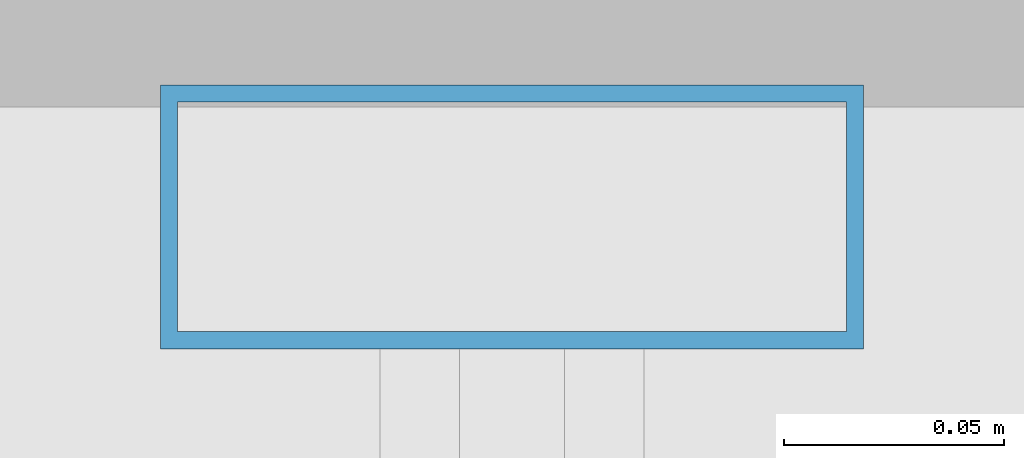
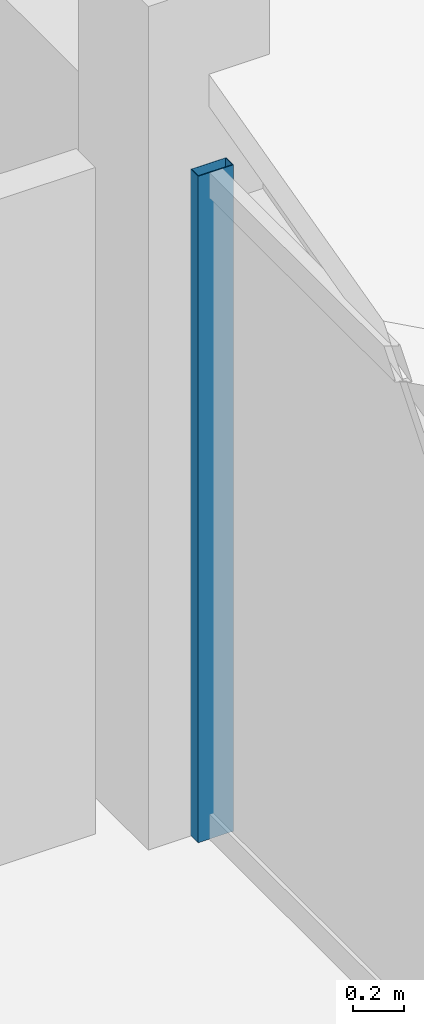
# One storey, part 24 of 108: 1 member, 1 element without a shape of its own.
"""IFC4 building model written with IfcOpenShell, lengths in metres."""

from ifc_helpers import new_model, si_unit, direction, frame, origin, origin_2d, place, context, subcontext, project, spatial, hollow_rectangle, extrude, material, layer, layer_set, material_profile, profile_set, type_object, element, aggregate, save


model = new_model("IFC4")

# Units and contexts
model_context = context("Model", 3, precision=1e-05, world=origin(), true_north=direction((0.0, 1.0)))
body_context = subcontext(model_context, "Body", "Model", "MODEL_VIEW")
ifc_project = project(units=[si_unit("LENGTHUNIT", "METRE"), si_unit("AREAUNIT", "SQUARE_METRE"), si_unit("VOLUMEUNIT", "CUBIC_METRE"), si_unit("PLANEANGLEUNIT", "RADIAN"), si_unit("MASSUNIT", "GRAM", prefix="KILO")], contexts=[model_context])

# Site, building, storey
site_placement = place(None, origin())
site = spatial("IfcSite", under=ifc_project, at=site_placement, CompositionType="ELEMENT")
building_placement = place(site_placement, origin())
building = spatial("IfcBuilding", under=site, at=building_placement, Name="Kangsadwip Square Police Headquarters", CompositionType="ELEMENT")
storey_placement = place(building_placement, frame((0.0, 0.0, 9.449951171875)))
storey = spatial("IfcBuildingStorey", under=building, at=storey_placement, Name="L02", CompositionType="ELEMENT", Elevation=9.449951171875)

# Curtain wall, member
ifc_material_1 = material(Name="Thermally broken anodised aluminium AW-6063-T6", Category="aluminium")
ifc_layer = layer(ifc_material_1, 0.159912109375)
ifc_layer_set = layer_set([ifc_layer], Name="Thermally broken anodised aluminium AW-6063-T6")
curtain_wall_type = type_object("IfcCurtainWallType", Name="CourtScreen6685x3200", PredefinedType="USERDEFINED", material=ifc_layer_set)
curtain_wall_placement = place(storey_placement, origin())
curtain_wall = element("IfcCurtainWall", 1, at=curtain_wall_placement, inside=storey, type_object=curtain_wall_type, Name="Curtain Wall CW-L02-0432-0938", ObjectType="GLAZED_SCREEN", PredefinedType="USERDEFINED")
ifc_material_2 = material(Name="Thermally broken anodised aluminium AW-6063-T6", Category="aluminium")
ifc_material_profile = material_profile(ifc_material_2, hollow_rectangle(XDim=0.06005859375, YDim=0.159912109375, WallThickness=0.00390625, at=origin_2d()), Name="CWM 160X60X4")
ifc_profile_set = profile_set([ifc_material_profile], Name="Thermally broken anodised aluminium AW-6063-T6")
member_type = type_object("IfcMemberType", Name="CwMullion135x60", PredefinedType="MULLION", material=ifc_profile_set)
member_placement = place(storey_placement, frame((43.199951171875, 100.5, 0.0), z_axis=(0.0, 0.0, 1.0), x_axis=(0.0, 1.0, 0.0)))
member = element("IfcMember", 2, at=member_placement, type_object=member_type, Name="CW-35 mullion 2", PredefinedType="MULLION", context=body_context, shape_type="SweptSolid", body=[
    extrude(hollow_rectangle(XDim=0.06005859375, YDim=0.159912109375, WallThickness=0.00390625, at=origin_2d()), origin(), (0.0, 0.0, 1.0), 3.199951171875),
])
aggregate(curtain_wall, [member])

save(model, "model.ifc")
